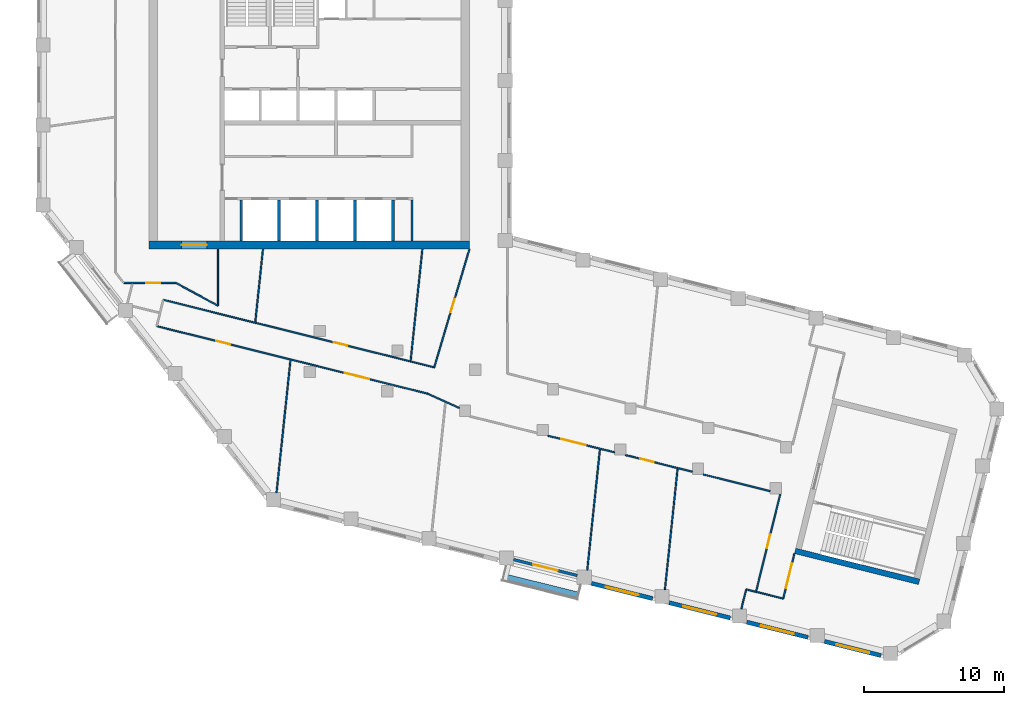
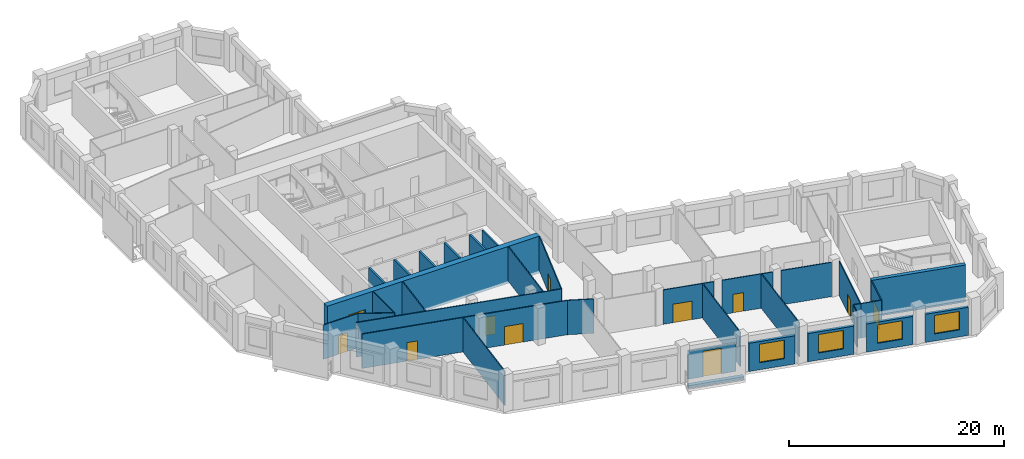
# One storey, part 3 of 9: 34 walls, 11 doors, 4 windows, 15 openings.
"""IFC4 building model written with IfcOpenShell, lengths in metres."""

from ifc_helpers import new_model, si_unit, direction, frame, frame_2d, origin, place, context, subcontext, project, spatial, rectangle, extrude, material, layer, layer_set, type_object, element, fill, save


model = new_model("IFC4")

# Units and contexts
model_context = context("Model", 3, precision=1e-05, world=origin(), true_north=direction((0.0, 1.0)))
body_context = subcontext(model_context, "Body", "Model", "MODEL_VIEW")
ifc_project = project(units=[si_unit("LENGTHUNIT", "METRE"), si_unit("AREAUNIT", "SQUARE_METRE"), si_unit("VOLUMEUNIT", "CUBIC_METRE"), si_unit("PLANEANGLEUNIT", "RADIAN"), si_unit("MASSUNIT", "GRAM", prefix="KILO")], contexts=[model_context])

# Site, building, storey
site_placement = place(None, origin())
site = spatial("IfcSite", under=ifc_project, at=site_placement, CompositionType="ELEMENT")
building_placement = place(site_placement, origin())
building = spatial("IfcBuilding", under=site, at=building_placement, Name="Meshkara Civic Tower", CompositionType="ELEMENT")
storey_placement = place(building_placement, frame((0.0, 0.0, 319.199951171875)))
storey = spatial("IfcBuildingStorey", under=building, at=storey_placement, Name="L73", CompositionType="ELEMENT", Elevation=319.199951171875)

# Wall
ifc_material_1 = material(Name="Blockwork", Category="masonry")
ifc_layer_1 = layer(ifc_material_1, 0.14990234375)
ifc_layer_set_1 = layer_set([ifc_layer_1], Name="Core partition 150")
wall_type_1 = type_object("IfcWallType", Name="Core partition 150", PredefinedType="PARTITIONING", material=ifc_layer_set_1)
wall_1_placement = place(storey_placement, frame((26.699951171875, 14.699951171875, 0.0), z_axis=(0.0, 0.0, 1.0), x_axis=(0.0, 1.0, 0.0)))
element("IfcWall", 1, at=wall_1_placement, inside=storey, type_object=wall_type_1, Name="L73-C025", PredefinedType="PARTITIONING", context=body_context, shape_type="SweptSolid", body=[
    extrude(rectangle(XDim=2.900146484375, YDim=0.14990234375, at=frame_2d((1.4501953125, 0.0))), origin(), (0.0, 0.0, 1.0), 3.900146484375),
])

# Wall, opening, door
ifc_material_2 = material(Name="Concrete C60", Category="concrete")
ifc_layer_2 = layer(ifc_material_2, 0.60009765625)
ifc_layer_set_2 = layer_set([ifc_layer_2], Name="Core ring wall 600 C60")
wall_type_2 = type_object("IfcWallType", Name="Core ring wall 600 C60", PredefinedType="SHEAR", material=ifc_layer_set_2)
wall_2_placement = place(storey_placement, frame((8.0, 14.39990234375, -0.300048828125), z_axis=(0.0, 0.0, 1.0), x_axis=(1.0, 0.0, 0.0)))
wall_2 = element("IfcWall", 2, at=wall_2_placement, inside=storey, type_object=wall_type_2, Name="L73-C001", PredefinedType="SHEAR", context=body_context, shape_type="SweptSolid", body=[
    extrude(rectangle(XDim=22.800048828125, YDim=0.60009765625, at=frame_2d((11.39990234375, 0.0))), origin(), (0.0, 0.0, 1.0), 4.2001953125),
])
opening_1_placement = place(wall_2_placement, frame((2.300048828125, 0.0, 0.300048828125)))
opening_1 = element("IfcOpeningElement", 3, at=opening_1_placement, cuts=wall_2, Name="Opening L73-K023", PredefinedType="OPENING", context=body_context, shape_type="SweptSolid", body=[
    extrude(rectangle(XDim=1.800048828125, YDim=2.10009765625, at=frame_2d((0.89990234375, 1.050048828125))), frame((0.0, 0.31005859375, 0.0), z_axis=(0.0, -1.0, 0.0), x_axis=(1.0, 0.0, 0.0)), (0.0, 0.0, 1.0), 0.6201171875),
])
ifc_material_3 = material(Name="Fire-rated door leaf in steel frame", Category="steel")
door_type_1 = type_object("IfcDoorType", Name="Core double door 1800 EI 60", OperationType="DOUBLE_DOOR_SINGLE_SWING", PredefinedType="DOOR", material=ifc_material_3)
door_1_placement = place(opening_1_placement, origin())
door_1 = element("IfcDoor", 4, at=door_1_placement, inside=storey, type_object=door_type_1, Name="L73-K023", OperationType="DOUBLE_DOOR_SINGLE_SWING", OverallHeight=2.10009765625, OverallWidth=1.800048828125, PredefinedType="DOOR", context=body_context, shape_type="SweptSolid", body=[
    extrude(rectangle(XDim=1.800048828125, YDim=2.10009765625, at=frame_2d((0.89990234375, 1.050048828125))), frame((0.0, 0.02490234375, 0.0), z_axis=(0.0, -1.0, 0.0), x_axis=(1.0, 0.0, 0.0)), (0.0, 0.0, 1.0), 0.050048828125),
])
fill(opening_1, door_1)

ifc_material_4 = material(Name="Corridor wall 100")
ifc_layer_3 = layer(ifc_material_4, 0.10009765625)
ifc_layer_set_3 = layer_set([ifc_layer_3], Name="Corridor wall 100")
wall_type_3 = type_object("IfcWallType", Name="Corridor wall 100", PredefinedType="PARTITIONING", material=ifc_layer_set_3)
wall_3_placement = place(storey_placement, frame((6.18603515625, 11.699951171875, 0.0), z_axis=(0.0, 0.0, 1.0), x_axis=(1.0, 0.0, 0.0)))
wall_3 = element("IfcWall", 5, at=wall_3_placement, inside=storey, type_object=wall_type_3, Name="L73-W006", PredefinedType="PARTITIONING", context=body_context, shape_type="SweptSolid", body=[
    extrude(rectangle(XDim=3.7138671875, YDim=0.10009765625, at=frame_2d((1.85693359375, 0.0))), origin(), (0.0, 0.0, 1.0), 3.900146484375),
])
opening_2_placement = place(wall_3_placement, frame((1.591064453125, 0.0, 0.0)))
opening_2 = element("IfcOpeningElement", 6, at=opening_2_placement, cuts=wall_3, Name="Opening L73-D008", PredefinedType="OPENING", context=body_context, shape_type="SweptSolid", body=[
    extrude(rectangle(XDim=1.0, YDim=2.10009765625, at=frame_2d((0.5, 1.050048828125))), frame((0.0, 0.06005859375, 0.0), z_axis=(0.0, -1.0, 0.0), x_axis=(1.0, 0.0, 0.0)), (0.0, 0.0, 1.0), 0.1201171875),
])
ifc_material_5 = material(Name="Door 1000 x 2100")
door_type_2 = type_object("IfcDoorType", Name="Door 1000 x 2100", OperationType="SINGLE_SWING_LEFT", PredefinedType="DOOR", material=ifc_material_5)
door_2_placement = place(opening_2_placement, origin())
door_2 = element("IfcDoor", 7, at=door_2_placement, inside=storey, type_object=door_type_2, Name="L73-D008", OperationType="SINGLE_SWING_RIGHT", OverallHeight=2.10009765625, OverallWidth=1.0, PredefinedType="DOOR", context=body_context, shape_type="SweptSolid", body=[
    extrude(rectangle(XDim=1.0, YDim=2.10009765625, at=frame_2d((0.5, 1.050048828125))), frame((0.0, 0.02490234375, 0.0), z_axis=(0.0, -1.0, 0.0), x_axis=(1.0, 0.0, 0.0)), (0.0, 0.0, 1.0), 0.050048828125),
])
fill(opening_2, door_2)

# Wall, openings, doors
wall_4_placement = place(storey_placement, frame((8.534912109375, 8.6259765625, 0.0), z_axis=(0.0, 0.0, 1.0), x_axis=(0.970298340477, -0.241911410372, 0.0)))
wall_4 = element("IfcWall", 8, at=wall_4_placement, inside=storey, type_object=wall_type_3, Name="L73-W007", PredefinedType="PARTITIONING", context=body_context, shape_type="SweptSolid", body=[
    extrude(rectangle(XDim=19.879638671875, YDim=0.10009765625, at=frame_2d((9.93994140625, 0.0))), origin(), (0.0, 0.0, 1.0), 3.900146484375),
])
opening_3_placement = place(wall_4_placement, frame((13.799072265625, 0.0, 0.0)))
opening_3 = element("IfcOpeningElement", 9, at=opening_3_placement, cuts=wall_4, Name="Opening L73-D004", PredefinedType="OPENING", context=body_context, shape_type="SweptSolid", body=[
    extrude(rectangle(XDim=1.800048828125, YDim=2.10009765625, at=frame_2d((0.89990234375, 1.050048828125))), frame((0.0, 0.06005859375, 0.0), z_axis=(0.0, -1.0, 0.0), x_axis=(1.0, 0.0, 0.0)), (0.0, 0.0, 1.0), 0.1201171875),
])
opening_4_placement = place(wall_4_placement, frame((4.3798828125, 0.0, 0.0)))
opening_4 = element("IfcOpeningElement", 10, at=opening_4_placement, cuts=wall_4, Name="Opening L73-D009", PredefinedType="OPENING", context=body_context, shape_type="SweptSolid", body=[
    extrude(rectangle(XDim=1.0, YDim=2.10009765625, at=frame_2d((0.5, 1.050048828125))), frame((0.0, 0.06005859375, 0.0), z_axis=(0.0, -1.0, 0.0), x_axis=(1.0, 0.0, 0.0)), (0.0, 0.0, 1.0), 0.1201171875),
])
door_3_placement = place(opening_4_placement, origin())
door_3 = element("IfcDoor", 11, at=door_3_placement, inside=storey, type_object=door_type_2, Name="L73-D009", OperationType="SINGLE_SWING_RIGHT", OverallHeight=2.10009765625, OverallWidth=1.0, PredefinedType="DOOR", context=body_context, shape_type="SweptSolid", body=[
    extrude(rectangle(XDim=1.0, YDim=2.10009765625, at=frame_2d((0.5, 1.050048828125))), frame((0.0, 0.02490234375, 0.0), z_axis=(0.0, -1.0, 0.0), x_axis=(1.0, 0.0, 0.0)), (0.0, 0.0, 1.0), 0.050048828125),
])
fill(opening_4, door_3)
ifc_material_6 = material(Name="Door pair 1800 x 2100")
door_type_3 = type_object("IfcDoorType", Name="Door pair 1800 x 2100", OperationType="SINGLE_SWING_LEFT", PredefinedType="DOOR", material=ifc_material_6)
door_4_placement = place(opening_3_placement, origin())
door_4 = element("IfcDoor", 12, at=door_4_placement, inside=storey, type_object=door_type_3, Name="L73-D004", OperationType="DOUBLE_DOOR_SINGLE_SWING", OverallHeight=2.10009765625, OverallWidth=1.800048828125, PredefinedType="DOOR", context=body_context, shape_type="SweptSolid", body=[
    extrude(rectangle(XDim=1.800048828125, YDim=2.10009765625, at=frame_2d((0.89990234375, 1.050048828125))), frame((0.0, 0.02490234375, 0.0), z_axis=(0.0, -1.0, 0.0), x_axis=(1.0, 0.0, 0.0)), (0.0, 0.0, 1.0), 0.050048828125),
])
fill(opening_3, door_4)

# Wall, opening, door
wall_5_placement = place(storey_placement, frame((9.001953125, 10.4990234375, 0.0), z_axis=(0.0, 0.0, 1.0), x_axis=(0.970298340477, -0.241911410372, 0.0)))
wall_5 = element("IfcWall", 13, at=wall_5_placement, inside=storey, type_object=wall_type_3, Name="L73-W008", PredefinedType="PARTITIONING", context=body_context, shape_type="SweptSolid", body=[
    extrude(rectangle(XDim=19.879638671875, YDim=0.10009765625, at=frame_2d((9.93994140625, 0.0))), origin(), (0.0, 0.0, 1.0), 3.900146484375),
])
opening_5_placement = place(wall_5_placement, frame((12.51806640625, 0.0, 0.0)))
opening_5 = element("IfcOpeningElement", 14, at=opening_5_placement, cuts=wall_5, Name="Opening L73-D010", PredefinedType="OPENING", context=body_context, shape_type="SweptSolid", body=[
    extrude(rectangle(XDim=1.0, YDim=2.10009765625, at=frame_2d((0.5, 1.050048828125))), frame((0.0, 0.06005859375, 0.0), z_axis=(0.0, -1.0, 0.0), x_axis=(1.0, 0.0, 0.0)), (0.0, 0.0, 1.0), 0.1201171875),
])
door_5_placement = place(opening_5_placement, origin())
door_5 = element("IfcDoor", 15, at=door_5_placement, inside=storey, type_object=door_type_2, Name="L73-D010", OperationType="SINGLE_SWING_RIGHT", OverallHeight=2.10009765625, OverallWidth=1.0, PredefinedType="DOOR", context=body_context, shape_type="SweptSolid", body=[
    extrude(rectangle(XDim=1.0, YDim=2.10009765625, at=frame_2d((0.5, 1.050048828125))), frame((0.0, 0.02490234375, 0.0), z_axis=(0.0, -1.0, 0.0), x_axis=(1.0, 0.0, 0.0)), (0.0, 0.0, 1.0), 0.050048828125),
])
fill(opening_5, door_5)

# Walls
wall_6_placement = place(storey_placement, frame((9.89990234375, 11.699951171875, 0.0), z_axis=(0.0, 0.0, 1.0), x_axis=(0.87965147249, -0.475618846291, 0.0)))
element("IfcWall", 16, at=wall_6_placement, inside=storey, type_object=wall_type_3, Name="L73-W010", PredefinedType="PARTITIONING", context=body_context, shape_type="SweptSolid", body=[
    extrude(rectangle(XDim=3.410400390625, YDim=0.10009765625, at=frame_2d((1.705078125, 0.0))), origin(), (0.0, 0.0, 1.0), 3.900146484375),
])
wall_7_placement = place(storey_placement, frame((12.89990234375, 10.077880859375, 0.0), z_axis=(0.0, 0.0, 1.0), x_axis=(0.0, 1.0, 0.0)))
element("IfcWall", 17, at=wall_7_placement, inside=storey, type_object=wall_type_3, Name="L73-W015", PredefinedType="PARTITIONING", context=body_context, shape_type="SweptSolid", body=[
    extrude(rectangle(XDim=4.022216796875, YDim=0.10009765625, at=frame_2d((2.01123046875, 0.0))), origin(), (0.0, 0.0, 1.0), 3.900146484375),
])
wall_8_placement = place(storey_placement, frame((27.823974609375, 3.81689453125, 0.0), z_axis=(0.0, 0.0, 1.0), x_axis=(0.910793734201, -0.41286168839, 0.0)))
element("IfcWall", 18, at=wall_8_placement, inside=storey, type_object=wall_type_3, Name="L73-W018", PredefinedType="PARTITIONING", context=body_context, shape_type="SweptSolid", body=[
    extrude(rectangle(XDim=2.482421875, YDim=0.10009765625, at=frame_2d((1.2412109375, 0.0))), origin(), (0.0, 0.0, 1.0), 3.900146484375),
])

# Wall, opening, door
wall_9_placement = place(storey_placement, frame((30.800048828125, 14.10009765625, 0.0), z_axis=(0.0, 0.0, 1.0), x_axis=(-0.28588265334, -0.958264633867, 0.0)))
wall_9 = element("IfcWall", 19, at=wall_9_placement, inside=storey, type_object=wall_type_3, Name="L73-W019", PredefinedType="PARTITIONING", context=body_context, shape_type="SweptSolid", body=[
    extrude(rectangle(XDim=8.7763671875, YDim=0.10009765625, at=frame_2d((4.38818359375, 0.0))), origin(), (0.0, 0.0, 1.0), 3.900146484375),
])
opening_6_placement = place(wall_9_placement, frame((3.679931640625, 0.0, 0.0)))
opening_6 = element("IfcOpeningElement", 20, at=opening_6_placement, cuts=wall_9, Name="Opening L73-D011", PredefinedType="OPENING", context=body_context, shape_type="SweptSolid", body=[
    extrude(rectangle(XDim=1.0, YDim=2.10009765625, at=frame_2d((0.5, 1.050048828125))), frame((0.0, 0.06005859375, 0.0), z_axis=(0.0, -1.0, 0.0), x_axis=(1.0, 0.0, 0.0)), (0.0, 0.0, 1.0), 0.1201171875),
])
door_6_placement = place(opening_6_placement, origin())
door_6 = element("IfcDoor", 21, at=door_6_placement, inside=storey, type_object=door_type_2, Name="L73-D011", OperationType="SINGLE_SWING_RIGHT", OverallHeight=2.10009765625, OverallWidth=1.0, PredefinedType="DOOR", context=body_context, shape_type="SweptSolid", body=[
    extrude(rectangle(XDim=1.0, YDim=2.10009765625, at=frame_2d((0.5, 1.050048828125))), frame((0.0, 0.02490234375, 0.0), z_axis=(0.0, -1.0, 0.0), x_axis=(1.0, 0.0, 0.0)), (0.0, 0.0, 1.0), 0.050048828125),
])
fill(opening_6, door_6)

wall_10_placement = place(storey_placement, frame((36.382080078125, 0.822998046875, 0.0), z_axis=(0.0, 0.0, 1.0), x_axis=(0.970285656006, -0.241962281665, 0.0)))
wall_10 = element("IfcWall", 22, at=wall_10_placement, inside=storey, type_object=wall_type_3, Name="L73-W023", PredefinedType="PARTITIONING", context=body_context, shape_type="SweptSolid", body=[
    extrude(rectangle(XDim=4.909912109375, YDim=0.10009765625, at=frame_2d((2.455078125, 0.0))), origin(), (0.0, 0.0, 1.0), 3.900146484375),
])
opening_7_placement = place(wall_10_placement, frame((0.97998046875, 0.0, 0.0)))
opening_7 = element("IfcOpeningElement", 23, at=opening_7_placement, cuts=wall_10, Name="Opening L73-D005", PredefinedType="OPENING", context=body_context, shape_type="SweptSolid", body=[
    extrude(rectangle(XDim=1.800048828125, YDim=2.10009765625, at=frame_2d((0.89990234375, 1.050048828125))), frame((0.0, 0.06005859375, 0.0), z_axis=(0.0, -1.0, 0.0), x_axis=(1.0, 0.0, 0.0)), (0.0, 0.0, 1.0), 0.1201171875),
])
door_7_placement = place(opening_7_placement, origin())
door_7 = element("IfcDoor", 24, at=door_7_placement, inside=storey, type_object=door_type_3, Name="L73-D005", OperationType="DOUBLE_DOOR_SINGLE_SWING", OverallHeight=2.10009765625, OverallWidth=1.800048828125, PredefinedType="DOOR", context=body_context, shape_type="SweptSolid", body=[
    extrude(rectangle(XDim=1.800048828125, YDim=2.10009765625, at=frame_2d((0.89990234375, 1.050048828125))), frame((0.0, 0.02490234375, 0.0), z_axis=(0.0, -1.0, 0.0), x_axis=(1.0, 0.0, 0.0)), (0.0, 0.0, 1.0), 0.050048828125),
])
fill(opening_7, door_7)

wall_11_placement = place(storey_placement, frame((41.9140625, -0.555908203125, 0.0), z_axis=(0.0, 0.0, 1.0), x_axis=(0.970274007865, -0.242008986738, 0.0)))
wall_11 = element("IfcWall", 25, at=wall_11_placement, inside=storey, type_object=wall_type_3, Name="L73-W025", PredefinedType="PARTITIONING", context=body_context, shape_type="SweptSolid", body=[
    extrude(rectangle(XDim=4.908935546875, YDim=0.10009765625, at=frame_2d((2.45458984375, 0.0))), origin(), (0.0, 0.0, 1.0), 3.900146484375),
])
opening_8_placement = place(wall_11_placement, frame((1.080078125, 0.0, 0.0)))
opening_8 = element("IfcOpeningElement", 26, at=opening_8_placement, cuts=wall_11, Name="Opening L73-D003", PredefinedType="OPENING", context=body_context, shape_type="SweptSolid", body=[
    extrude(rectangle(XDim=1.0, YDim=2.10009765625, at=frame_2d((0.5, 1.050048828125))), frame((0.0, 0.06005859375, 0.0), z_axis=(0.0, -1.0, 0.0), x_axis=(1.0, 0.0, 0.0)), (0.0, 0.0, 1.0), 0.1201171875),
])
door_8_placement = place(opening_8_placement, origin())
door_8 = element("IfcDoor", 27, at=door_8_placement, inside=storey, type_object=door_type_2, Name="L73-D003", OperationType="SINGLE_SWING_RIGHT", OverallHeight=2.10009765625, OverallWidth=1.0, PredefinedType="DOOR", context=body_context, shape_type="SweptSolid", body=[
    extrude(rectangle(XDim=1.0, YDim=2.10009765625, at=frame_2d((0.5, 1.050048828125))), frame((0.0, 0.02490234375, 0.0), z_axis=(0.0, -1.0, 0.0), x_axis=(1.0, 0.0, 0.0)), (0.0, 0.0, 1.0), 0.050048828125),
])
fill(opening_8, door_8)

# Walls
wall_12_placement = place(storey_placement, frame((47.444091796875, -1.93505859375, 0.0), z_axis=(0.0, 0.0, 1.0), x_axis=(0.970285656006, -0.241962281665, 0.0)))
element("IfcWall", 28, at=wall_12_placement, inside=storey, type_object=wall_type_3, Name="L73-W028", PredefinedType="PARTITIONING", context=body_context, shape_type="SweptSolid", body=[
    extrude(rectangle(XDim=4.909912109375, YDim=0.10009765625, at=frame_2d((2.455078125, 0.0))), origin(), (0.0, 0.0, 1.0), 3.900146484375),
])
wall_13_placement = place(storey_placement, frame((51.200927734375, -10.2919921875, 0.0), z_axis=(0.0, 0.0, 1.0), x_axis=(0.970307382734, -0.241875139301, 0.0)))
element("IfcWall", 29, at=wall_13_placement, inside=storey, type_object=wall_type_3, Name="L73-W029", PredefinedType="PARTITIONING", context=body_context, shape_type="SweptSolid", body=[
    extrude(rectangle(XDim=2.00048828125, YDim=0.10009765625, at=frame_2d((1.000244140625, 0.0))), origin(), (0.0, 0.0, 1.0), 3.900146484375),
])

# Wall, opening, door
wall_14_placement = place(storey_placement, frame((52.94091796875, -3.31396484375, 0.0), z_axis=(0.0, 0.0, 1.0), x_axis=(-0.241944492524, -0.97029009195, 0.0)))
wall_14 = element("IfcWall", 30, at=wall_14_placement, inside=storey, type_object=wall_type_3, Name="L73-W030", PredefinedType="PARTITIONING", context=body_context, shape_type="SweptSolid", body=[
    extrude(rectangle(XDim=7.191650390625, YDim=0.10009765625, at=frame_2d((3.595703125, 0.0))), origin(), (0.0, 0.0, 1.0), 3.900146484375),
])
opening_9_placement = place(wall_14_placement, frame((2.97998046875, 0.0, 0.0)))
opening_9 = element("IfcOpeningElement", 31, at=opening_9_placement, cuts=wall_14, Name="Opening L73-D001", PredefinedType="OPENING", context=body_context, shape_type="SweptSolid", body=[
    extrude(rectangle(XDim=1.0, YDim=2.10009765625, at=frame_2d((0.5, 1.050048828125))), frame((0.0, 0.06005859375, 0.0), z_axis=(0.0, -1.0, 0.0), x_axis=(1.0, 0.0, 0.0)), (0.0, 0.0, 1.0), 0.1201171875),
])
door_9_placement = place(opening_9_placement, origin())
door_9 = element("IfcDoor", 32, at=door_9_placement, inside=storey, type_object=door_type_2, Name="L73-D001", OperationType="SINGLE_SWING_RIGHT", OverallHeight=2.10009765625, OverallWidth=1.0, PredefinedType="DOOR", context=body_context, shape_type="SweptSolid", body=[
    extrude(rectangle(XDim=1.0, YDim=2.10009765625, at=frame_2d((0.5, 1.050048828125))), frame((0.0, 0.02490234375, 0.0), z_axis=(0.0, -1.0, 0.0), x_axis=(1.0, 0.0, 0.0)), (0.0, 0.0, 1.0), 0.050048828125),
])
fill(opening_9, door_9)

wall_15_placement = place(storey_placement, frame((53.14208984375, -10.77587890625, 0.0), z_axis=(0.0, 0.0, 1.0), x_axis=(0.241786986316, 0.970329352977, 0.0)))
wall_15 = element("IfcWall", 33, at=wall_15_placement, inside=storey, type_object=wall_type_3, Name="L73-W032", PredefinedType="PARTITIONING", context=body_context, shape_type="SweptSolid", body=[
    extrude(rectangle(XDim=3.2998046875, YDim=0.10009765625, at=frame_2d((1.64990234375, 0.0))), origin(), (0.0, 0.0, 1.0), 3.900146484375),
])
opening_10_placement = place(wall_15_placement, frame((0.780029296875, 0.0, 0.0)))
opening_10 = element("IfcOpeningElement", 34, at=opening_10_placement, cuts=wall_15, Name="Opening L73-D002", PredefinedType="OPENING", context=body_context, shape_type="SweptSolid", body=[
    extrude(rectangle(XDim=1.800048828125, YDim=2.10009765625, at=frame_2d((0.89990234375, 1.050048828125))), frame((0.0, 0.06005859375, 0.0), z_axis=(0.0, -1.0, 0.0), x_axis=(1.0, 0.0, 0.0)), (0.0, 0.0, 1.0), 0.1201171875),
])
door_10_placement = place(opening_10_placement, origin())
door_10 = element("IfcDoor", 35, at=door_10_placement, inside=storey, type_object=door_type_3, Name="L73-D002", OperationType="DOUBLE_DOOR_SINGLE_SWING", OverallHeight=2.10009765625, OverallWidth=1.800048828125, PredefinedType="DOOR", context=body_context, shape_type="SweptSolid", body=[
    extrude(rectangle(XDim=1.800048828125, YDim=2.10009765625, at=frame_2d((0.89990234375, 1.050048828125))), frame((0.0, 0.02490234375, 0.0), z_axis=(0.0, -1.0, 0.0), x_axis=(1.0, 0.0, 0.0)), (0.0, 0.0, 1.0), 0.050048828125),
])
fill(opening_10, door_10)

# Wall, opening, window
ifc_material_7 = material(Name="Insulated infill panel with bronze anodised aluminium cladding", Category="aluminium")
ifc_layer_4 = layer(ifc_material_7, 0.300048828125)
ifc_layer_set_4 = layer_set([ifc_layer_4], Name="EXTERNAL INFILL WALL 300")
wall_type_4 = type_object("IfcWallType", Name="EXTERNAL INFILL WALL 300", PredefinedType="SOLIDWALL", material=ifc_layer_set_4)
wall_16_placement = place(storey_placement, frame((39.489990234375, -9.69189453125, 0.0), z_axis=(0.0, 0.0, 1.0), x_axis=(0.970302346682, -0.241895341054, 0.0)))
wall_16 = element("IfcWall", 36, at=wall_16_placement, inside=storey, type_object=wall_type_4, Name="External wall", PredefinedType="SOLIDWALL", context=body_context, shape_type="SweptSolid", body=[
    extrude(rectangle(XDim=4.486328125, YDim=0.300048828125, at=frame_2d((2.2431640625, 0.0))), origin(), (0.0, 0.0, 1.0), 3.199951171875),
])
opening_11_placement = place(wall_16_placement, frame((1.0439453125, 0.0, 0.800048828125)))
opening_11 = element("IfcOpeningElement", 37, at=opening_11_placement, cuts=wall_16, Name="Opening W7", PredefinedType="OPENING", context=body_context, shape_type="SweptSolid", body=[
    extrude(rectangle(XDim=2.39990234375, YDim=2.10009765625, at=frame_2d((1.199951171875, 1.050048828125))), frame((0.0, 0.159912109375, 0.0), z_axis=(0.0, -1.0, 0.0), x_axis=(1.0, 0.0, 0.0)), (0.0, 0.0, 1.0), 0.320068359375),
])
ifc_material_8 = material(Name="Tinted double glazing", Category="glass")
window_type = type_object("IfcWindowType", Name="WINDOW 2400x2100", PartitioningType="DOUBLE_PANEL_VERTICAL", PredefinedType="WINDOW", material=ifc_material_8)
window_1_placement = place(opening_11_placement, origin())
window_1 = element("IfcWindow", 38, at=window_1_placement, inside=storey, type_object=window_type, Name="Window", OverallHeight=2.10009765625, OverallWidth=2.39990234375, PartitioningType="DOUBLE_PANEL_VERTICAL", PredefinedType="WINDOW", context=body_context, shape_type="SweptSolid", body=[
    extrude(rectangle(XDim=2.39990234375, YDim=2.10009765625, at=frame_2d((1.199951171875, 1.050048828125))), frame((0.0, 0.030029296875, 0.0), z_axis=(0.0, -1.0, 0.0), x_axis=(1.0, 0.0, 0.0)), (0.0, 0.0, 1.0), 0.06005859375),
])
fill(opening_11, window_1)

wall_17_placement = place(storey_placement, frame((45.02001953125, -11.070068359375, 0.0), z_axis=(0.0, 0.0, 1.0), x_axis=(0.970276766004, -0.241997928406, 0.0)))
wall_17 = element("IfcWall", 39, at=wall_17_placement, inside=storey, type_object=wall_type_4, Name="External wall", PredefinedType="SOLIDWALL", context=body_context, shape_type="SweptSolid", body=[
    extrude(rectangle(XDim=4.4873046875, YDim=0.300048828125, at=frame_2d((2.24365234375, 0.0))), origin(), (0.0, 0.0, 1.0), 3.199951171875),
])
opening_12_placement = place(wall_17_placement, frame((1.0439453125, 0.0, 0.800048828125)))
opening_12 = element("IfcOpeningElement", 40, at=opening_12_placement, cuts=wall_17, Name="Opening W7", PredefinedType="OPENING", context=body_context, shape_type="SweptSolid", body=[
    extrude(rectangle(XDim=2.39990234375, YDim=2.10009765625, at=frame_2d((1.199951171875, 1.050048828125))), frame((0.0, 0.159912109375, 0.0), z_axis=(0.0, -1.0, 0.0), x_axis=(1.0, 0.0, 0.0)), (0.0, 0.0, 1.0), 0.320068359375),
])
window_2_placement = place(opening_12_placement, origin())
window_2 = element("IfcWindow", 41, at=window_2_placement, inside=storey, type_object=window_type, Name="Window", OverallHeight=2.10009765625, OverallWidth=2.39990234375, PartitioningType="DOUBLE_PANEL_VERTICAL", PredefinedType="WINDOW", context=body_context, shape_type="SweptSolid", body=[
    extrude(rectangle(XDim=2.39990234375, YDim=2.10009765625, at=frame_2d((1.199951171875, 1.050048828125))), frame((0.0, 0.030029296875, 0.0), z_axis=(0.0, -1.0, 0.0), x_axis=(1.0, 0.0, 0.0)), (0.0, 0.0, 1.0), 0.06005859375),
])
fill(opening_12, window_2)

wall_18_placement = place(storey_placement, frame((50.551025390625, -12.448974609375, 0.0), z_axis=(0.0, 0.0, 1.0), x_axis=(0.970276766004, -0.241997928406, 0.0)))
wall_18 = element("IfcWall", 42, at=wall_18_placement, inside=storey, type_object=wall_type_4, Name="External wall", PredefinedType="SOLIDWALL", context=body_context, shape_type="SweptSolid", body=[
    extrude(rectangle(XDim=4.4873046875, YDim=0.300048828125, at=frame_2d((2.24365234375, 0.0))), origin(), (0.0, 0.0, 1.0), 3.199951171875),
])
opening_13_placement = place(wall_18_placement, frame((1.0439453125, 0.0, 0.800048828125)))
opening_13 = element("IfcOpeningElement", 43, at=opening_13_placement, cuts=wall_18, Name="Opening W7", PredefinedType="OPENING", context=body_context, shape_type="SweptSolid", body=[
    extrude(rectangle(XDim=2.39990234375, YDim=2.10009765625, at=frame_2d((1.199951171875, 1.050048828125))), frame((0.0, 0.159912109375, 0.0), z_axis=(0.0, -1.0, 0.0), x_axis=(1.0, 0.0, 0.0)), (0.0, 0.0, 1.0), 0.320068359375),
])
window_3_placement = place(opening_13_placement, origin())
window_3 = element("IfcWindow", 44, at=window_3_placement, inside=storey, type_object=window_type, Name="Window", OverallHeight=2.10009765625, OverallWidth=2.39990234375, PartitioningType="DOUBLE_PANEL_VERTICAL", PredefinedType="WINDOW", context=body_context, shape_type="SweptSolid", body=[
    extrude(rectangle(XDim=2.39990234375, YDim=2.10009765625, at=frame_2d((1.199951171875, 1.050048828125))), frame((0.0, 0.030029296875, 0.0), z_axis=(0.0, -1.0, 0.0), x_axis=(1.0, 0.0, 0.0)), (0.0, 0.0, 1.0), 0.06005859375),
])
fill(opening_13, window_3)

wall_19_placement = place(storey_placement, frame((56.0810546875, -13.827880859375, 0.0), z_axis=(0.0, 0.0, 1.0), x_axis=(0.970246294139, -0.242120070853, 0.0)))
wall_19 = element("IfcWall", 45, at=wall_19_placement, inside=storey, type_object=wall_type_4, Name="External wall", PredefinedType="SOLIDWALL", context=body_context, shape_type="SweptSolid", body=[
    extrude(rectangle(XDim=4.147216796875, YDim=0.300048828125, at=frame_2d((2.07373046875, 0.0))), origin(), (0.0, 0.0, 1.0), 3.199951171875),
])
opening_14_placement = place(wall_19_placement, frame((0.8740234375, 0.0, 0.800048828125)))
opening_14 = element("IfcOpeningElement", 46, at=opening_14_placement, cuts=wall_19, Name="Opening W7", PredefinedType="OPENING", context=body_context, shape_type="SweptSolid", body=[
    extrude(rectangle(XDim=2.39990234375, YDim=2.10009765625, at=frame_2d((1.199951171875, 1.050048828125))), frame((0.0, 0.159912109375, 0.0), z_axis=(0.0, -1.0, 0.0), x_axis=(1.0, 0.0, 0.0)), (0.0, 0.0, 1.0), 0.320068359375),
])
window_4_placement = place(opening_14_placement, origin())
window_4 = element("IfcWindow", 47, at=window_4_placement, inside=storey, type_object=window_type, Name="Window", OverallHeight=2.10009765625, OverallWidth=2.39990234375, PartitioningType="DOUBLE_PANEL_VERTICAL", PredefinedType="WINDOW", context=body_context, shape_type="SweptSolid", body=[
    extrude(rectangle(XDim=2.39990234375, YDim=2.10009765625, at=frame_2d((1.199951171875, 1.050048828125))), frame((0.0, 0.030029296875, 0.0), z_axis=(0.0, -1.0, 0.0), x_axis=(1.0, 0.0, 0.0)), (0.0, 0.0, 1.0), 0.06005859375),
])
fill(opening_14, window_4)

# Wall
ifc_material_9 = material(Name="Concrete C60", Category="concrete")
ifc_layer_5 = layer(ifc_material_9, 0.39990234375)
ifc_layer_set_5 = layer_set([ifc_layer_5], Name="End core ring wall 400 C60")
wall_type_5 = type_object("IfcWallType", Name="End core ring wall 400 C60", PredefinedType="SHEAR", material=ifc_layer_set_5)
wall_20_placement = place(storey_placement, frame((53.988037109375, -7.3798828125, -0.300048828125), z_axis=(0.0, 0.0, 1.0), x_axis=(0.970281210621, -0.241980107272, 0.0)))
element("IfcWall", 48, at=wall_20_placement, inside=storey, type_object=wall_type_5, Name="L73-C032", PredefinedType="SHEAR", context=body_context, shape_type="SweptSolid", body=[
    extrude(rectangle(XDim=9.1005859375, YDim=0.39990234375, at=frame_2d((4.55029296875, 0.0))), origin(), (0.0, 0.0, 1.0), 4.2001953125),
])

# Wall, opening, door
ifc_material_10 = material(Name="Insulated infill panel with bronze anodised aluminium cladding", Category="aluminium")
ifc_layer_6 = layer(ifc_material_10, 0.199951171875)
ifc_layer_set_6 = layer_set([ifc_layer_6], Name="LOGGIA BACK WALL 200")
wall_type_6 = type_object("IfcWallType", Name="LOGGIA BACK WALL 200", PredefinedType="SOLIDWALL", material=ifc_layer_set_6)
wall_21_placement = place(storey_placement, frame((33.943115234375, -8.0, 0.0), z_axis=(0.0, 0.0, 1.0), x_axis=(0.970335948358, -0.241760516472, 0.0)))
wall_21 = element("IfcWall", 49, at=wall_21_placement, inside=storey, type_object=wall_type_6, Name="Loggia wall", PredefinedType="SOLIDWALL", context=body_context, shape_type="SweptSolid", body=[
    extrude(rectangle(XDim=4.66943359375, YDim=0.199951171875, at=frame_2d((2.334716796875, 0.0))), origin(), (0.0, 0.0, 1.0), 3.199951171875),
])
opening_15_placement = place(wall_21_placement, frame((1.43408203125, 0.0, 0.0)))
opening_15 = element("IfcOpeningElement", 50, at=opening_15_placement, cuts=wall_21, Name="Opening L73-L003", PredefinedType="OPENING", context=body_context, shape_type="SweptSolid", body=[
    extrude(rectangle(XDim=1.800048828125, YDim=2.89990234375, at=frame_2d((0.89990234375, 1.449951171875))), frame((0.0, 0.10986328125, 0.0), z_axis=(0.0, -1.0, 0.0), x_axis=(1.0, 0.0, 0.0)), (0.0, 0.0, 1.0), 0.219970703125),
])
ifc_material_11 = material(Name="Tinted double glazing", Category="glass")
door_type_4 = type_object("IfcDoorType", Name="LOGGIA DOOR 1800x2900", OperationType="DOUBLE_DOOR_SINGLE_SWING", PredefinedType="DOOR", material=ifc_material_11)
door_11_placement = place(opening_15_placement, origin())
door_11 = element("IfcDoor", 51, at=door_11_placement, inside=storey, type_object=door_type_4, Name="L73-L003", OperationType="DOUBLE_DOOR_SINGLE_SWING", OverallHeight=2.89990234375, OverallWidth=1.800048828125, PredefinedType="DOOR", context=body_context, shape_type="SweptSolid", body=[
    extrude(rectangle(XDim=1.800048828125, YDim=2.89990234375, at=frame_2d((0.89990234375, 1.449951171875))), frame((0.0, 0.02490234375, 0.0), z_axis=(0.0, -1.0, 0.0), x_axis=(1.0, 0.0, 0.0)), (0.0, 0.0, 1.0), 0.050048828125),
])
fill(opening_15, door_11)

# Walls
ifc_material_12 = material(Name="Concrete C40", Category="concrete")
ifc_layer_7 = layer(ifc_material_12, 0.39990234375)
ifc_layer_set_7 = layer_set([ifc_layer_7], Name="PLANTER TRAY")
wall_type_7 = type_object("IfcWallType", Name="PLANTER TRAY", PredefinedType="SOLIDWALL", material=ifc_layer_set_7)
wall_22_placement = place(storey_placement, frame((33.285888671875, -9.2060546875, 0.0), z_axis=(0.0, 0.0, 1.0), x_axis=(0.970292345375, -0.241935455249, 0.0)))
element("IfcWall", 52, at=wall_22_placement, inside=storey, type_object=wall_type_7, Name="Planter", PredefinedType="SOLIDWALL", context=body_context, shape_type="SweptSolid", body=[
    extrude(rectangle(XDim=5.3603515625, YDim=0.39990234375, at=frame_2d((2.68017578125, 0.0))), origin(), (0.0, 0.0, 1.0), 0.300048828125),
])
ifc_material_13 = material(Name="Partition 100")
ifc_layer_8 = layer(ifc_material_13, 0.10009765625)
ifc_layer_set_8 = layer_set([ifc_layer_8], Name="Partition 100")
wall_type_8 = type_object("IfcWallType", Name="Partition 100", PredefinedType="PARTITIONING", material=ifc_layer_set_8)
wall_23_placement = place(storey_placement, frame((15.553955078125, 8.924072265625, 0.0), z_axis=(0.0, 0.0, 1.0), x_axis=(0.104513853303, 0.994523430829, 0.0)))
element("IfcWall", 53, at=wall_23_placement, inside=storey, type_object=wall_type_8, Name="L73-W043", PredefinedType="PARTITIONING", context=body_context, shape_type="SweptSolid", body=[
    extrude(rectangle(XDim=5.20458984375, YDim=0.10009765625, at=frame_2d((2.602294921875, 0.0))), origin(), (0.0, 0.0, 1.0), 3.900146484375),
])
wall_24_placement = place(storey_placement, frame((17.06494140625, -3.238037109375, 0.0), z_axis=(0.0, 0.0, 1.0), x_axis=(0.104487801341, 0.994526168269, 0.0)))
element("IfcWall", 54, at=wall_24_placement, inside=storey, type_object=wall_type_8, Name="L73-W044", PredefinedType="PARTITIONING", context=body_context, shape_type="SweptSolid", body=[
    extrude(rectangle(XDim=9.484130859375, YDim=0.10009765625, at=frame_2d((4.7421875, 0.0))), origin(), (0.0, 0.0, 1.0), 3.900146484375),
])
wall_25_placement = place(storey_placement, frame((26.614990234375, 6.166015625, 0.0), z_axis=(0.0, 0.0, 1.0), x_axis=(0.10453822663, 0.994520869149, 0.0)))
element("IfcWall", 55, at=wall_25_placement, inside=storey, type_object=wall_type_8, Name="L73-W048", PredefinedType="PARTITIONING", context=body_context, shape_type="SweptSolid", body=[
    extrude(rectangle(XDim=7.977783203125, YDim=0.10009765625, at=frame_2d((3.98876953125, 0.0))), origin(), (0.0, 0.0, 1.0), 3.900146484375),
])
for number, where, z_axis, x_axis, name in (
    (56, (39.18798828125, -8.75390625, 0.0), (0.0, 0.0, 1.0), (0.104506829378, 0.994524168944, 0.0), "L73-W050"),
    (57, (44.718017578125, -10.133056640625, 0.0), (0.0, 0.0, 1.0), (0.104506829378, 0.994524168944, 0.0), "L73-W052"),
):
    element("IfcWall", number, at=place(storey_placement, frame(where, z_axis=z_axis, x_axis=x_axis)), inside=storey, type_object=wall_type_8, Name=name, PredefinedType="PARTITIONING", context=body_context, shape_type="SweptSolid", body=[
        extrude(rectangle(XDim=8.641357421875, YDim=0.10009765625, at=frame_2d((4.32080078125, 0.0))), origin(), (0.0, 0.0, 1.0), 3.900146484375),
    ])
wall_26_placement = place(storey_placement, frame((50.159912109375, -11.511962890625, 0.0), z_axis=(0.0, 0.0, 1.0), x_axis=(0.241815333826, 0.970322288895, 0.0)))
element("IfcWall", 58, at=wall_26_placement, inside=storey, type_object=wall_type_8, Name="L73-W053", PredefinedType="PARTITIONING", context=body_context, shape_type="SweptSolid", body=[
    extrude(rectangle(XDim=1.435791015625, YDim=0.10009765625, at=frame_2d((0.7177734375, 0.0))), origin(), (0.0, 0.0, 1.0), 3.900146484375),
])
wall_27_placement = place(storey_placement, frame((50.507080078125, -10.118896484375, 0.0), z_axis=(0.0, 0.0, 1.0), x_axis=(0.970282083048, -0.241976609029, 0.0)))
element("IfcWall", 59, at=wall_27_placement, inside=storey, type_object=wall_type_8, Name="L73-W054", PredefinedType="PARTITIONING", context=body_context, shape_type="SweptSolid", body=[
    extrude(rectangle(XDim=0.719482421875, YDim=0.10009765625, at=frame_2d((0.35986328125, 0.0))), origin(), (0.0, 0.0, 1.0), 3.900146484375),
])
ifc_material_14 = material(Name="Concrete C40/50", Category="concrete")
ifc_layer_9 = layer(ifc_material_14, 0.199951171875)
ifc_layer_set_9 = layer_set([ifc_layer_9], Name="Shaft wall 200 C40/50")
wall_type_9 = type_object("IfcWallType", Name="Shaft wall 200 C40/50", PredefinedType="SOLIDWALL", material=ifc_layer_set_9)
for number, where, z_axis, x_axis, name in (
    (60, (14.550048828125, 14.699951171875, 0.0), (0.0, 0.0, 1.0), (0.0, 1.0, 0.0), "L73-C012"),
    (61, (17.25, 14.699951171875, 0.0), (0.0, 0.0, 1.0), (0.0, 1.0, 0.0), "L73-C015"),
    (62, (19.949951171875, 14.699951171875, 0.0), (0.0, 0.0, 1.0), (0.0, 1.0, 0.0), "L73-C017"),
    (63, (22.64990234375, 14.699951171875, 0.0), (0.0, 0.0, 1.0), (0.0, 1.0, 0.0), "L73-C021"),
    (64, (25.35009765625, 14.699951171875, 0.0), (0.0, 0.0, 1.0), (0.0, 1.0, 0.0), "L73-C024"),
):
    element("IfcWall", number, at=place(storey_placement, frame(where, z_axis=z_axis, x_axis=x_axis)), inside=storey, type_object=wall_type_9, Name=name, PredefinedType="SOLIDWALL", context=body_context, shape_type="SweptSolid", body=[
        extrude(rectangle(XDim=2.900146484375, YDim=0.199951171875, at=frame_2d((1.4501953125, 0.0))), origin(), (0.0, 0.0, 1.0), 3.900146484375),
    ])

save(model, "model.ifc")
